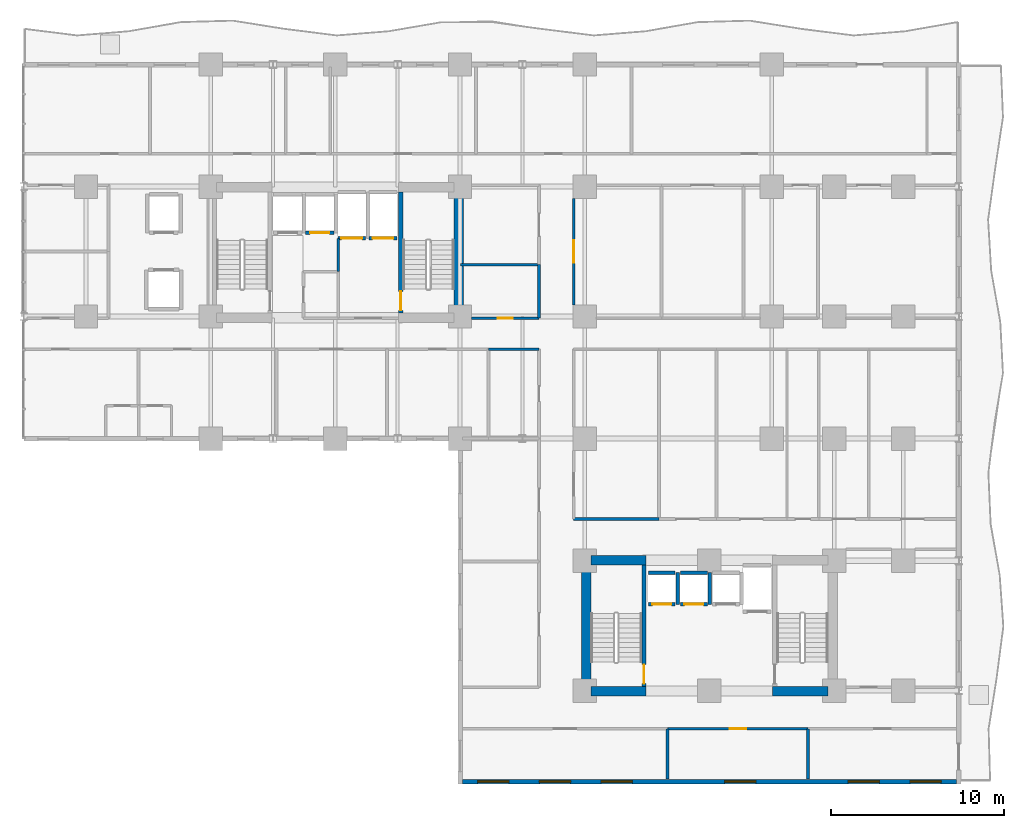
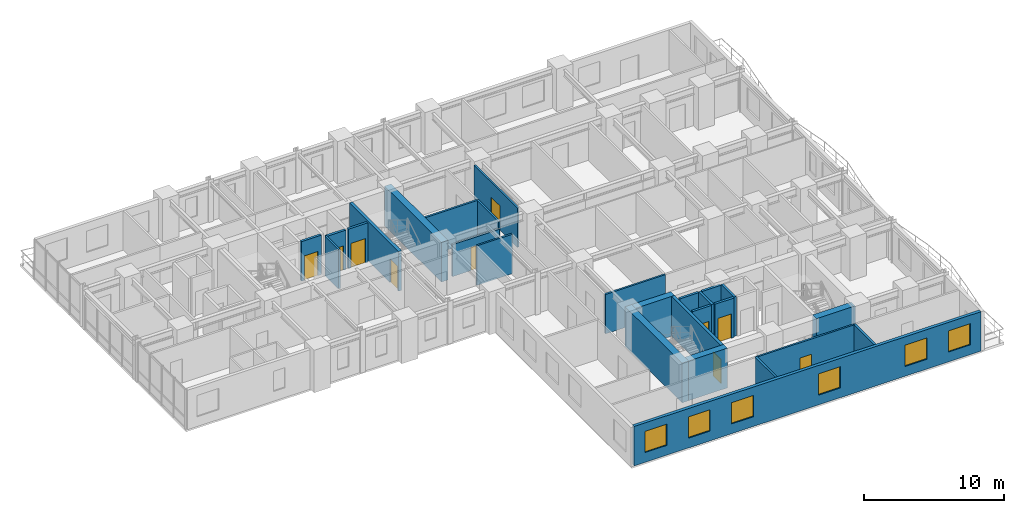
# One storey, part 12 of 19: 27 walls, 10 doors, 6 windows, 16 openings.
"""IFC4 building model written with IfcOpenShell, lengths in metres."""

from ifc_helpers import new_model, si_unit, direction, frame, frame_2d, origin, place, context, subcontext, project, spatial, rectangle, extrude, material, layer, layer_set, type_object, element, fill, save


model = new_model("IFC4")

# Units and contexts
model_context = context("Model", 3, precision=1e-05, world=origin(), true_north=direction((0.0, 1.0)))
body_context = subcontext(model_context, "Body", "Model", "MODEL_VIEW")
ifc_project = project(units=[si_unit("LENGTHUNIT", "METRE"), si_unit("AREAUNIT", "SQUARE_METRE"), si_unit("VOLUMEUNIT", "CUBIC_METRE"), si_unit("PLANEANGLEUNIT", "RADIAN"), si_unit("MASSUNIT", "GRAM", prefix="KILO")], contexts=[model_context])

# Site, building, storey
site_placement = place(None, origin())
site = spatial("IfcSite", under=ifc_project, at=site_placement, CompositionType="ELEMENT")
building_placement = place(site_placement, origin())
building = spatial("IfcBuilding", under=site, at=building_placement, Name="Kaliganga Portal Commons", CompositionType="ELEMENT")
storey_placement = place(building_placement, frame((0.0, 0.0, 32.699951171875)))
storey = spatial("IfcBuildingStorey", under=building, at=storey_placement, Name="L07", CompositionType="ELEMENT", Elevation=32.699951171875)

# Walls
ifc_material_1 = material(Name="Concrete C60/75", Category="concrete")
ifc_layer_1 = layer(ifc_material_1, 0.550048828125)
ifc_layer_set_1 = layer_set([ifc_layer_1], Name="Concrete C60/75")
wall_type_1 = type_object("IfcWallType", Name="WL-CORE-550", PredefinedType="SHEAR", material=ifc_layer_set_1)
wall_1_placement = place(storey_placement, frame((28.72509765625, 28.300048828125, 0.0), z_axis=(0.0, 0.0, 1.0), x_axis=(0.0, 1.0, 0.0)))
element("IfcWall", 1, at=wall_1_placement, inside=storey, type_object=wall_type_1, Name="Core A East Shear Wall L07", PredefinedType="SHEAR", context=body_context, shape_type="SweptSolid", body=[
    extrude(rectangle(XDim=8.099853515625, YDim=0.550048828125, at=frame_2d((4.0498046875, 0.0))), origin(), (0.0, 0.0, 1.0), 3.449951171875),
])
wall_2_placement = place(storey_placement, frame((36.074951171875, 6.75, 0.0), z_axis=(0.0, 0.0, 1.0), x_axis=(0.0, 1.0, 0.0)))
element("IfcWall", 2, at=wall_2_placement, inside=storey, type_object=wall_type_1, Name="Core B West Shear Wall L07", PredefinedType="SHEAR", context=body_context, shape_type="SweptSolid", body=[
    extrude(rectangle(XDim=8.10009765625, YDim=0.550048828125, at=frame_2d((4.050048828125, 0.0))), origin(), (0.0, 0.0, 1.0), 3.449951171875),
])
for number, where, z_axis, x_axis, name in (
    (3, (36.35009765625, 7.02490234375, 0.0), (0.0, 0.0, 1.0), (1.0, 0.0, 0.0), "Core B S-West Shear Wall L07"),
    (4, (46.85009765625, 7.02490234375, 0.0), (0.0, 0.0, 1.0), (1.0, 0.0, 0.0), "Core B S-East Shear Wall L07"),
    (5, (36.35009765625, 14.574951171875, 0.0), (0.0, 0.0, 1.0), (1.0, 0.0, 0.0), "Core B N-West Shear Wall L07"),
):
    element("IfcWall", number, at=place(storey_placement, frame(where, z_axis=z_axis, x_axis=x_axis)), inside=storey, type_object=wall_type_1, Name=name, PredefinedType="SHEAR", context=body_context, shape_type="SweptSolid", body=[
        extrude(rectangle(XDim=3.199951171875, YDim=0.550048828125, at=frame_2d((1.60009765625, 0.0))), origin(), (0.0, 0.0, 1.0), 3.449951171875),
    ])

# Wall, openings, windows
ifc_material_2 = material(Name="Insulated Aluminium-Clad Spandrel Assembly", Category="aluminium")
ifc_layer_2 = layer(ifc_material_2, 0.260009765625)
ifc_layer_set_2 = layer_set([ifc_layer_2], Name="Insulated Aluminium-Clad Spandrel Assembly")
wall_type_2 = type_object("IfcWallType", Name="WL-EXT-SPAND-260", PredefinedType="STANDARD", material=ifc_layer_set_2)
wall_3_placement = place(storey_placement, frame((57.465087890625, 1.800048828125, 0.0), z_axis=(0.0, 0.0, 1.0), x_axis=(-1.0, 0.0, 0.0)))
wall_3 = element("IfcWall", 6, at=wall_3_placement, inside=storey, type_object=wall_type_2, Name="Exterior Envelope Wall L07 P1-E00-S1", PredefinedType="STANDARD", context=body_context, shape_type="SweptSolid", body=[
    extrude(rectangle(XDim=28.530029296875, YDim=0.260009765625, at=frame_2d((14.26513671875, 0.0))), origin(), (0.0, 0.0, 1.0), 3.429931640625),
])
opening_1_placement = place(wall_3_placement, frame((0.883056640625, 0.0, 0.85009765625)))
opening_1 = element("IfcOpeningElement", 7, at=opening_1_placement, cuts=wall_3, Name="Opening W-01", PredefinedType="OPENING", context=body_context, shape_type="SweptSolid", body=[
    extrude(rectangle(XDim=1.800048828125, YDim=1.85009765625, at=frame_2d((0.89990234375, 0.925048828125))), frame((0.0, 0.14013671875, 0.0), z_axis=(0.0, -1.0, 0.0), x_axis=(1.0, 0.0, 0.0)), (0.0, 0.0, 1.0), 0.280029296875),
])
opening_2_placement = place(wall_3_placement, frame((4.449462890625, 0.0, 0.85009765625)))
opening_2 = element("IfcOpeningElement", 8, at=opening_2_placement, cuts=wall_3, Name="Opening W-01", PredefinedType="OPENING", context=body_context, shape_type="SweptSolid", body=[
    extrude(rectangle(XDim=1.800048828125, YDim=1.85009765625, at=frame_2d((0.89990234375, 0.925048828125))), frame((0.0, 0.14013671875, 0.0), z_axis=(0.0, -1.0, 0.0), x_axis=(1.0, 0.0, 0.0)), (0.0, 0.0, 1.0), 0.280029296875),
])
opening_3_placement = place(wall_3_placement, frame((11.581787109375, 0.0, 0.85009765625)))
opening_3 = element("IfcOpeningElement", 9, at=opening_3_placement, cuts=wall_3, Name="Opening W-01", PredefinedType="OPENING", context=body_context, shape_type="SweptSolid", body=[
    extrude(rectangle(XDim=1.800048828125, YDim=1.85009765625, at=frame_2d((0.89990234375, 0.925048828125))), frame((0.0, 0.14013671875, 0.0), z_axis=(0.0, -1.0, 0.0), x_axis=(1.0, 0.0, 0.0)), (0.0, 0.0, 1.0), 0.280029296875),
])
opening_4_placement = place(wall_3_placement, frame((18.71435546875, 0.0, 0.85009765625)))
opening_4 = element("IfcOpeningElement", 10, at=opening_4_placement, cuts=wall_3, Name="Opening W-01", PredefinedType="OPENING", context=body_context, shape_type="SweptSolid", body=[
    extrude(rectangle(XDim=1.800048828125, YDim=1.85009765625, at=frame_2d((0.89990234375, 0.925048828125))), frame((0.0, 0.14013671875, 0.0), z_axis=(0.0, -1.0, 0.0), x_axis=(1.0, 0.0, 0.0)), (0.0, 0.0, 1.0), 0.280029296875),
])
opening_5_placement = place(wall_3_placement, frame((22.280517578125, 0.0, 0.85009765625)))
opening_5 = element("IfcOpeningElement", 11, at=opening_5_placement, cuts=wall_3, Name="Opening W-01", PredefinedType="OPENING", context=body_context, shape_type="SweptSolid", body=[
    extrude(rectangle(XDim=1.800048828125, YDim=1.85009765625, at=frame_2d((0.89990234375, 0.925048828125))), frame((0.0, 0.14013671875, 0.0), z_axis=(0.0, -1.0, 0.0), x_axis=(1.0, 0.0, 0.0)), (0.0, 0.0, 1.0), 0.280029296875),
])
opening_6_placement = place(wall_3_placement, frame((25.846923828125, 0.0, 0.85009765625)))
opening_6 = element("IfcOpeningElement", 12, at=opening_6_placement, cuts=wall_3, Name="Opening W-01", PredefinedType="OPENING", context=body_context, shape_type="SweptSolid", body=[
    extrude(rectangle(XDim=1.800048828125, YDim=1.85009765625, at=frame_2d((0.89990234375, 0.925048828125))), frame((0.0, 0.14013671875, 0.0), z_axis=(0.0, -1.0, 0.0), x_axis=(1.0, 0.0, 0.0)), (0.0, 0.0, 1.0), 0.280029296875),
])
ifc_material_3 = material(Name="Thermally Broken Aluminium and Low-E Double Glazing", Category="aluminium")
window_type = type_object("IfcWindowType", Name="WIN-STD-1800", PartitioningType="DOUBLE_PANEL_VERTICAL", PredefinedType="WINDOW", material=ifc_material_3)
window_1_placement = place(opening_1_placement, origin())
window_1 = element("IfcWindow", 13, at=window_1_placement, inside=storey, type_object=window_type, Name="Facade Window L07-P1E00S1-00", OverallHeight=1.85009765625, OverallWidth=1.800048828125, PartitioningType="SINGLE_PANEL", PredefinedType="WINDOW", context=body_context, shape_type="SweptSolid", body=[
    extrude(rectangle(XDim=1.800048828125, YDim=1.85009765625, at=frame_2d((0.89990234375, 0.925048828125))), frame((0.0, 0.030029296875, 0.0), z_axis=(0.0, -1.0, 0.0), x_axis=(1.0, 0.0, 0.0)), (0.0, 0.0, 1.0), 0.06005859375),
])
fill(opening_1, window_1)
window_2_placement = place(opening_2_placement, origin())
window_2 = element("IfcWindow", 14, at=window_2_placement, inside=storey, type_object=window_type, Name="Facade Window L07-P1E00S1-01", OverallHeight=1.85009765625, OverallWidth=1.800048828125, PartitioningType="SINGLE_PANEL", PredefinedType="WINDOW", context=body_context, shape_type="SweptSolid", body=[
    extrude(rectangle(XDim=1.800048828125, YDim=1.85009765625, at=frame_2d((0.89990234375, 0.925048828125))), frame((0.0, 0.030029296875, 0.0), z_axis=(0.0, -1.0, 0.0), x_axis=(1.0, 0.0, 0.0)), (0.0, 0.0, 1.0), 0.06005859375),
])
fill(opening_2, window_2)
window_3_placement = place(opening_3_placement, origin())
window_3 = element("IfcWindow", 15, at=window_3_placement, inside=storey, type_object=window_type, Name="Facade Window L07-P1E00S1-03", OverallHeight=1.85009765625, OverallWidth=1.800048828125, PartitioningType="SINGLE_PANEL", PredefinedType="WINDOW", context=body_context, shape_type="SweptSolid", body=[
    extrude(rectangle(XDim=1.800048828125, YDim=1.85009765625, at=frame_2d((0.89990234375, 0.925048828125))), frame((0.0, 0.030029296875, 0.0), z_axis=(0.0, -1.0, 0.0), x_axis=(1.0, 0.0, 0.0)), (0.0, 0.0, 1.0), 0.06005859375),
])
fill(opening_3, window_3)
window_4_placement = place(opening_4_placement, origin())
window_4 = element("IfcWindow", 16, at=window_4_placement, inside=storey, type_object=window_type, Name="Facade Window L07-P1E00S1-05", OverallHeight=1.85009765625, OverallWidth=1.800048828125, PartitioningType="SINGLE_PANEL", PredefinedType="WINDOW", context=body_context, shape_type="SweptSolid", body=[
    extrude(rectangle(XDim=1.800048828125, YDim=1.85009765625, at=frame_2d((0.89990234375, 0.925048828125))), frame((0.0, 0.030029296875, 0.0), z_axis=(0.0, -1.0, 0.0), x_axis=(1.0, 0.0, 0.0)), (0.0, 0.0, 1.0), 0.06005859375),
])
fill(opening_4, window_4)
window_5_placement = place(opening_5_placement, origin())
window_5 = element("IfcWindow", 17, at=window_5_placement, inside=storey, type_object=window_type, Name="Facade Window L07-P1E00S1-06", OverallHeight=1.85009765625, OverallWidth=1.800048828125, PartitioningType="SINGLE_PANEL", PredefinedType="WINDOW", context=body_context, shape_type="SweptSolid", body=[
    extrude(rectangle(XDim=1.800048828125, YDim=1.85009765625, at=frame_2d((0.89990234375, 0.925048828125))), frame((0.0, 0.030029296875, 0.0), z_axis=(0.0, -1.0, 0.0), x_axis=(1.0, 0.0, 0.0)), (0.0, 0.0, 1.0), 0.06005859375),
])
fill(opening_5, window_5)
window_6_placement = place(opening_6_placement, origin())
window_6 = element("IfcWindow", 18, at=window_6_placement, inside=storey, type_object=window_type, Name="Facade Window L07-P1E00S1-07", OverallHeight=1.85009765625, OverallWidth=1.800048828125, PartitioningType="SINGLE_PANEL", PredefinedType="WINDOW", context=body_context, shape_type="SweptSolid", body=[
    extrude(rectangle(XDim=1.800048828125, YDim=1.85009765625, at=frame_2d((0.89990234375, 0.925048828125))), frame((0.0, 0.030029296875, 0.0), z_axis=(0.0, -1.0, 0.0), x_axis=(1.0, 0.0, 0.0)), (0.0, 0.0, 1.0), 0.06005859375),
])
fill(opening_6, window_6)

# Wall, opening, door
ifc_material_4 = material(Name="Fire-Rated Gypsum Board on Steel Stud", Category="steel")
ifc_layer_3 = layer(ifc_material_4, 0.14990234375)
ifc_layer_set_3 = layer_set([ifc_layer_3], Name="Fire-Rated Gypsum Board on Steel Stud")
wall_type_3 = type_object("IfcWallType", Name="WL-PART-CORR-150", PredefinedType="PARTITIONING", material=ifc_layer_set_3)
wall_4_placement = place(storey_placement, frame((40.780029296875, 4.840087890625, 0.0), z_axis=(0.0, 0.0, 1.0), x_axis=(1.0, 0.0, 0.0)))
wall_4 = element("IfcWall", 19, at=wall_4_placement, inside=storey, type_object=wall_type_3, Name="Interior Partition L07-015", PredefinedType="PARTITIONING", context=body_context, shape_type="SweptSolid", body=[
    extrude(rectangle(XDim=8.119873046875, YDim=0.14990234375, at=frame_2d((4.06005859375, 0.0))), origin(), (0.0, 0.0, 1.0), 3.429931640625),
])
opening_7_placement = place(wall_4_placement, frame((3.5849609375, 0.0, 0.0)))
opening_7 = element("IfcOpeningElement", 20, at=opening_7_placement, cuts=wall_4, Name="Opening UD-01", PredefinedType="OPENING", context=body_context, shape_type="SweptSolid", body=[
    extrude(rectangle(XDim=0.949951171875, YDim=2.10009765625, at=frame_2d((0.47509765625, 1.050048828125))), frame((0.0, 0.0849609375, 0.0), z_axis=(0.0, -1.0, 0.0), x_axis=(1.0, 0.0, 0.0)), (0.0, 0.0, 1.0), 0.169921875),
])
ifc_material_5 = material(Name="Solid-Core Timber Acoustic Fire Door", Category="wood")
door_type_1 = type_object("IfcDoorType", Name="DR-UNIT-950", OperationType="NOTDEFINED", PredefinedType="DOOR", material=ifc_material_5)
door_1_placement = place(opening_7_placement, origin())
door_1 = element("IfcDoor", 21, at=door_1_placement, inside=storey, type_object=door_type_1, Name="Interior Door L07-BS02", OperationType="SINGLE_SWING_RIGHT", OverallHeight=2.10009765625, OverallWidth=0.949951171875, PredefinedType="DOOR", context=body_context, shape_type="SweptSolid", body=[
    extrude(rectangle(XDim=0.949951171875, YDim=2.10009765625, at=frame_2d((0.47509765625, 1.050048828125))), frame((0.0, 0.02490234375, 0.0), z_axis=(0.0, -1.0, 0.0), x_axis=(1.0, 0.0, 0.0)), (0.0, 0.0, 1.0), 0.050048828125),
])
fill(opening_7, door_1)

wall_5_placement = place(storey_placement, frame((35.360107421875, 29.324951171875, 0.0), z_axis=(0.0, 0.0, 1.0), x_axis=(0.0, 1.0, 0.0)))
wall_5 = element("IfcWall", 22, at=wall_5_placement, inside=storey, type_object=wall_type_3, Name="Interior Partition L07-018", PredefinedType="PARTITIONING", context=body_context, shape_type="SweptSolid", body=[
    extrude(rectangle(XDim=6.150146484375, YDim=0.14990234375, at=frame_2d((3.0751953125, 0.0))), origin(), (0.0, 0.0, 1.0), 3.429931640625),
])
opening_8_placement = place(wall_5_placement, frame((2.425048828125, 0.0, 0.0)))
opening_8 = element("IfcOpeningElement", 23, at=opening_8_placement, cuts=wall_5, Name="Opening RD-03", PredefinedType="OPENING", context=body_context, shape_type="SweptSolid", body=[
    extrude(rectangle(XDim=1.300048828125, YDim=2.1201171875, at=frame_2d((0.64990234375, 1.06005859375))), frame((0.0, 0.0849609375, 0.0), z_axis=(0.0, -1.0, 0.0), x_axis=(1.0, 0.0, 0.0)), (0.0, 0.0, 1.0), 0.169921875),
])
ifc_material_6 = material(Name="Glazed Timber Seminar Vision Door", Category="wood")
door_type_2 = type_object("IfcDoorType", Name="DR-STUDY-1300", OperationType="DOUBLE_DOOR_SINGLE_SWING", PredefinedType="DOOR", material=ifc_material_6)
door_2_placement = place(opening_8_placement, origin())
door_2 = element("IfcDoor", 24, at=door_2_placement, inside=storey, type_object=door_type_2, Name="Interior Door L07-BK01", OperationType="DOUBLE_DOOR_SINGLE_SWING", OverallHeight=2.1201171875, OverallWidth=1.300048828125, PredefinedType="DOOR", context=body_context, shape_type="SweptSolid", body=[
    extrude(rectangle(XDim=1.300048828125, YDim=2.1201171875, at=frame_2d((0.64990234375, 1.06005859375))), frame((0.0, 0.02490234375, 0.0), z_axis=(0.0, -1.0, 0.0), x_axis=(1.0, 0.0, 0.0)), (0.0, 0.0, 1.0), 0.050048828125),
])
fill(opening_8, door_2)

# Wall
wall_6_placement = place(storey_placement, frame((35.360107421875, 16.9599609375, 0.0), z_axis=(0.0, 0.0, 1.0), x_axis=(1.0, 0.0, 0.0)))
element("IfcWall", 25, at=wall_6_placement, inside=storey, type_object=wall_type_3, Name="Interior Partition L07-032", PredefinedType="PARTITIONING", context=body_context, shape_type="SweptSolid", body=[
    extrude(rectangle(XDim=4.919921875, YDim=0.14990234375, at=frame_2d((2.4599609375, 0.0))), origin(), (0.0, 0.0, 1.0), 3.429931640625),
])

# Wall, opening, door
wall_7_placement = place(storey_placement, frame((29.47509765625, 28.56005859375, 0.0), z_axis=(0.0, 0.0, 1.0), x_axis=(1.0, 0.0, 0.0)))
wall_7 = element("IfcWall", 26, at=wall_7_placement, inside=storey, type_object=wall_type_3, Name="Interior Partition L07-040", PredefinedType="PARTITIONING", context=body_context, shape_type="SweptSolid", body=[
    extrude(rectangle(XDim=3.885009765625, YDim=0.14990234375, at=frame_2d((1.9423828125, 0.0))), origin(), (0.0, 0.0, 1.0), 2.780029296875),
])
opening_9_placement = place(wall_7_placement, frame((1.512451171875, 0.0, 0.0)))
opening_9 = element("IfcOpeningElement", 27, at=opening_9_placement, cuts=wall_7, Name="Opening WD-02", PredefinedType="OPENING", context=body_context, shape_type="SweptSolid", body=[
    extrude(rectangle(XDim=0.860107421875, YDim=2.02001953125, at=frame_2d((0.43017578125, 1.010009765625))), frame((0.0, 0.0849609375, 0.0), z_axis=(0.0, -1.0, 0.0), x_axis=(1.0, 0.0, 0.0)), (0.0, 0.0, 1.0), 0.169921875),
])
ifc_material_7 = material(Name="Fire-Rated Utility Closet Door", Category="wood")
door_type_3 = type_object("IfcDoorType", Name="DR-STORE-800", OperationType="NOTDEFINED", PredefinedType="DOOR", material=ifc_material_7)
door_3_placement = place(opening_9_placement, origin())
door_3 = element("IfcDoor", 28, at=door_3_placement, inside=storey, type_object=door_type_3, Name="Interior Door L07-CSRV_A1", OperationType="SINGLE_SWING_LEFT", OverallHeight=2.02001953125, OverallWidth=0.860107421875, PredefinedType="DOOR", context=body_context, shape_type="SweptSolid", body=[
    extrude(rectangle(XDim=0.860107421875, YDim=2.02001953125, at=frame_2d((0.43017578125, 1.010009765625))), frame((0.0, 0.02490234375, 0.0), z_axis=(0.0, -1.0, 0.0), x_axis=(1.0, 0.0, 0.0)), (0.0, 0.0, 1.0), 0.050048828125),
])
fill(opening_9, door_3)

# Walls
wall_8_placement = place(storey_placement, frame((33.360107421875, 28.56005859375, 0.0), z_axis=(0.0, 0.0, 1.0), x_axis=(0.0, 1.0, 0.0)))
element("IfcWall", 29, at=wall_8_placement, inside=storey, type_object=wall_type_3, Name="Interior Partition L07-048", PredefinedType="PARTITIONING", context=body_context, shape_type="SweptSolid", body=[
    extrude(rectangle(XDim=3.079833984375, YDim=0.14990234375, at=frame_2d((1.5400390625, 0.0))), origin(), (0.0, 0.0, 1.0), 3.429931640625),
])
wall_9_placement = place(storey_placement, frame((30.43994140625, 26.760009765625, 0.0), z_axis=(0.0, 0.0, 1.0), x_axis=(1.0, 0.0, 0.0)))
element("IfcWall", 30, at=wall_9_placement, inside=storey, type_object=wall_type_3, Name="Interior Partition L07-049", PredefinedType="PARTITIONING", context=body_context, shape_type="SweptSolid", body=[
    extrude(rectangle(XDim=2.920166015625, YDim=0.14990234375, at=frame_2d((1.4599609375, 0.0))), origin(), (0.0, 0.0, 1.0), 3.429931640625),
])
wall_10_placement = place(storey_placement, frame((21.760009765625, 31.239990234375, 0.0), z_axis=(0.0, 0.0, 1.0), x_axis=(0.0, 1.0, 0.0)))
element("IfcWall", 31, at=wall_10_placement, inside=storey, type_object=wall_type_3, Name="Interior Partition L07-094", PredefinedType="PARTITIONING", context=body_context, shape_type="SweptSolid", body=[
    extrude(rectangle(XDim=1.919921875, YDim=0.14990234375, at=frame_2d((0.9599609375, 0.0))), origin(), (0.0, 0.0, 1.0), 3.429931640625),
])
ifc_material_8 = material(Name="Twin-Stud Acoustic Gypsum Partition", Category="gypsum")
ifc_layer_4 = layer(ifc_material_8, 0.1650390625)
ifc_layer_set_4 = layer_set([ifc_layer_4], Name="Twin-Stud Acoustic Gypsum Partition")
wall_type_4 = type_object("IfcWallType", Name="WL-PART-UNIT-165", PredefinedType="PARTITIONING", material=ifc_layer_set_4)
wall_11_placement = place(storey_placement, frame((28.840087890625, 31.639892578125, 0.0), z_axis=(0.0, 0.0, 1.0), x_axis=(1.0, 0.0, 0.0)))
element("IfcWall", 32, at=wall_11_placement, inside=storey, type_object=wall_type_4, Name="Interior Partition L07-083", PredefinedType="PARTITIONING", context=body_context, shape_type="SweptSolid", body=[
    extrude(rectangle(XDim=4.52001953125, YDim=0.1650390625, at=frame_2d((2.260009765625, 0.0))), origin(), (0.0, 0.0, 1.0), 3.429931640625),
])
for number, where, z_axis, x_axis, name in (
    (33, (40.780029296875, 1.931884765625, 0.0), (0.0, 0.0, 1.0), (0.0, 1.0, 0.0), "Interior Partition L07-090"),
    (34, (48.89990234375, 1.931884765625, 0.0), (0.0, 0.0, 1.0), (0.0, 1.0, 0.0), "Interior Partition L07-091"),
):
    element("IfcWall", number, at=place(storey_placement, frame(where, z_axis=z_axis, x_axis=x_axis)), inside=storey, type_object=wall_type_4, Name=name, PredefinedType="PARTITIONING", context=body_context, shape_type="SweptSolid", body=[
        extrude(rectangle(XDim=2.908203125, YDim=0.1650390625, at=frame_2d((1.4541015625, 0.0))), origin(), (0.0, 0.0, 1.0), 3.429931640625),
    ])

# Wall, opening, door
ifc_material_9 = material(Name="Fire-Rated Shaftwall Masonry Assembly", Category="masonry")
ifc_layer_5 = layer(ifc_material_9, 0.199951171875)
ifc_layer_set_5 = layer_set([ifc_layer_5], Name="Fire-Rated Shaftwall Masonry Assembly")
wall_type_5 = type_object("IfcWallType", Name="WL-SHAFT-200", PredefinedType="PARTITIONING", material=ifc_layer_set_5)
wall_12_placement = place(storey_placement, frame((19.875, 33.485107421875, 0.0), z_axis=(0.0, 0.0, 1.0), x_axis=(1.0, 0.0, 0.0)))
wall_12 = element("IfcWall", 35, at=wall_12_placement, inside=storey, type_object=wall_type_5, Name="Lift PL-A2 Hoistway Shaft Wall L07-S", PredefinedType="PARTITIONING", context=body_context, shape_type="SweptSolid", body=[
    extrude(rectangle(XDim=1.64990234375, YDim=0.199951171875, at=frame_2d((0.824951171875, 0.0))), origin(), (0.0, 0.0, 1.0), 3.429931640625),
])
opening_10_placement = place(wall_12_placement, frame((0.27490234375, 0.0, 0.0)))
opening_10 = element("IfcOpeningElement", 36, at=opening_10_placement, cuts=wall_12, Name="Opening LD-01", PredefinedType="OPENING", context=body_context, shape_type="SweptSolid", body=[
    extrude(rectangle(XDim=1.10009765625, YDim=2.1201171875, at=frame_2d((0.550048828125, 1.06005859375))), frame((0.0, 0.10986328125, 0.0), z_axis=(0.0, -1.0, 0.0), x_axis=(1.0, 0.0, 0.0)), (0.0, 0.0, 1.0), 0.219970703125),
])
ifc_material_10 = material(Name="Brushed Stainless Steel 316 Lift Landing Door", Category="steel")
door_type_4 = type_object("IfcDoorType", Name="DR-LIFT-1100", OperationType="SLIDING_TO_LEFT", PredefinedType="DOOR", material=ifc_material_10)
door_4_placement = place(opening_10_placement, origin())
door_4 = element("IfcDoor", 37, at=door_4_placement, inside=storey, type_object=door_type_4, Name="Lift PL-A2 Sliding Landing Door L07", OperationType="SLIDING_TO_LEFT", OverallHeight=2.1201171875, OverallWidth=1.10009765625, PredefinedType="DOOR", context=body_context, shape_type="SweptSolid", body=[
    extrude(rectangle(XDim=1.10009765625, YDim=2.1201171875, at=frame_2d((0.550048828125, 1.06005859375))), frame((0.0, 0.02490234375, 0.0), z_axis=(0.0, -1.0, 0.0), x_axis=(1.0, 0.0, 0.0)), (0.0, 0.0, 1.0), 0.050048828125),
])
fill(opening_10, door_4)

wall_13_placement = place(storey_placement, frame((21.75, 33.159912109375, 0.0), z_axis=(0.0, 0.0, 1.0), x_axis=(1.0, 0.0, 0.0)))
wall_13 = element("IfcWall", 38, at=wall_13_placement, inside=storey, type_object=wall_type_5, Name="Lift FFL-1 Hoistway Shaft Wall L07-S", PredefinedType="PARTITIONING", context=body_context, shape_type="SweptSolid", body=[
    extrude(rectangle(XDim=1.60009765625, YDim=0.199951171875, at=frame_2d((0.800048828125, 0.0))), origin(), (0.0, 0.0, 1.0), 3.429931640625),
])
opening_11_placement = place(wall_13_placement, frame((0.199951171875, 0.0, 0.0)))
opening_11 = element("IfcOpeningElement", 39, at=opening_11_placement, cuts=wall_13, Name="Opening LD-02", PredefinedType="OPENING", context=body_context, shape_type="SweptSolid", body=[
    extrude(rectangle(XDim=1.199951171875, YDim=2.1201171875, at=frame_2d((0.60009765625, 1.06005859375))), frame((0.0, 0.10986328125, 0.0), z_axis=(0.0, -1.0, 0.0), x_axis=(1.0, 0.0, 0.0)), (0.0, 0.0, 1.0), 0.219970703125),
])
ifc_material_11 = material(Name="Brushed Stainless Steel 316 Stretcher Lift Landing Door", Category="steel")
door_type_5 = type_object("IfcDoorType", Name="DR-LIFT-1200", OperationType="SLIDING_TO_RIGHT", PredefinedType="DOOR", material=ifc_material_11)
door_5_placement = place(opening_11_placement, origin())
door_5 = element("IfcDoor", 40, at=door_5_placement, inside=storey, type_object=door_type_5, Name="Lift FFL-1 Sliding Landing Door L07", OperationType="SLIDING_TO_RIGHT", OverallHeight=2.1201171875, OverallWidth=1.199951171875, PredefinedType="DOOR", context=body_context, shape_type="SweptSolid", body=[
    extrude(rectangle(XDim=1.199951171875, YDim=2.1201171875, at=frame_2d((0.60009765625, 1.06005859375))), frame((0.0, 0.02490234375, 0.0), z_axis=(0.0, -1.0, 0.0), x_axis=(1.0, 0.0, 0.0)), (0.0, 0.0, 1.0), 0.050048828125),
])
fill(opening_11, door_5)

wall_14_placement = place(storey_placement, frame((23.550048828125, 33.159912109375, 0.0), z_axis=(0.0, 0.0, 1.0), x_axis=(1.0, 0.0, 0.0)))
wall_14 = element("IfcWall", 41, at=wall_14_placement, inside=storey, type_object=wall_type_5, Name="Lift FFL-2 Hoistway Shaft Wall L07-S", PredefinedType="PARTITIONING", context=body_context, shape_type="SweptSolid", body=[
    extrude(rectangle(XDim=1.599853515625, YDim=0.199951171875, at=frame_2d((0.7998046875, 0.0))), origin(), (0.0, 0.0, 1.0), 3.429931640625),
])
opening_12_placement = place(wall_14_placement, frame((0.199951171875, 0.0, 0.0)))
opening_12 = element("IfcOpeningElement", 42, at=opening_12_placement, cuts=wall_14, Name="Opening LD-02", PredefinedType="OPENING", context=body_context, shape_type="SweptSolid", body=[
    extrude(rectangle(XDim=1.199951171875, YDim=2.1201171875, at=frame_2d((0.60009765625, 1.06005859375))), frame((0.0, 0.10986328125, 0.0), z_axis=(0.0, -1.0, 0.0), x_axis=(1.0, 0.0, 0.0)), (0.0, 0.0, 1.0), 0.219970703125),
])
door_6_placement = place(opening_12_placement, origin())
door_6 = element("IfcDoor", 43, at=door_6_placement, inside=storey, type_object=door_type_5, Name="Lift FFL-2 Sliding Landing Door L07", OperationType="SLIDING_TO_RIGHT", OverallHeight=2.1201171875, OverallWidth=1.199951171875, PredefinedType="DOOR", context=body_context, shape_type="SweptSolid", body=[
    extrude(rectangle(XDim=1.199951171875, YDim=2.1201171875, at=frame_2d((0.60009765625, 1.06005859375))), frame((0.0, 0.02490234375, 0.0), z_axis=(0.0, -1.0, 0.0), x_axis=(1.0, 0.0, 0.0)), (0.0, 0.0, 1.0), 0.050048828125),
])
fill(opening_12, door_6)

wall_15_placement = place(storey_placement, frame((39.675048828125, 12.034912109375, 0.0), z_axis=(0.0, 0.0, 1.0), x_axis=(1.0, 0.0, 0.0)))
wall_15 = element("IfcWall", 44, at=wall_15_placement, inside=storey, type_object=wall_type_5, Name="Lift PL-B1 Hoistway Shaft Wall L07-S", PredefinedType="PARTITIONING", context=body_context, shape_type="SweptSolid", body=[
    extrude(rectangle(XDim=1.550048828125, YDim=0.199951171875, at=frame_2d((0.77490234375, 0.0))), origin(), (0.0, 0.0, 1.0), 3.429931640625),
])
opening_13_placement = place(wall_15_placement, frame((0.22509765625, 0.0, 0.0)))
opening_13 = element("IfcOpeningElement", 45, at=opening_13_placement, cuts=wall_15, Name="Opening LD-01", PredefinedType="OPENING", context=body_context, shape_type="SweptSolid", body=[
    extrude(rectangle(XDim=1.10009765625, YDim=2.1201171875, at=frame_2d((0.550048828125, 1.06005859375))), frame((0.0, 0.10986328125, 0.0), z_axis=(0.0, -1.0, 0.0), x_axis=(1.0, 0.0, 0.0)), (0.0, 0.0, 1.0), 0.219970703125),
])
door_7_placement = place(opening_13_placement, origin())
door_7 = element("IfcDoor", 46, at=door_7_placement, inside=storey, type_object=door_type_4, Name="Lift PL-B1 Sliding Landing Door L07", OperationType="SLIDING_TO_LEFT", OverallHeight=2.1201171875, OverallWidth=1.10009765625, PredefinedType="DOOR", context=body_context, shape_type="SweptSolid", body=[
    extrude(rectangle(XDim=1.10009765625, YDim=2.1201171875, at=frame_2d((0.550048828125, 1.06005859375))), frame((0.0, 0.02490234375, 0.0), z_axis=(0.0, -1.0, 0.0), x_axis=(1.0, 0.0, 0.0)), (0.0, 0.0, 1.0), 0.050048828125),
])
fill(opening_13, door_7)

# Walls
wall_16_placement = place(storey_placement, frame((39.675048828125, 13.864990234375, 0.0), z_axis=(0.0, 0.0, 1.0), x_axis=(1.0, 0.0, 0.0)))
element("IfcWall", 47, at=wall_16_placement, inside=storey, type_object=wall_type_5, Name="Lift PL-B1 Hoistway Shaft Wall L07-N", PredefinedType="PARTITIONING", context=body_context, shape_type="SweptSolid", body=[
    extrude(rectangle(XDim=1.550048828125, YDim=0.199951171875, at=frame_2d((0.77490234375, 0.0))), origin(), (0.0, 0.0, 1.0), 3.429931640625),
])
wall_17_placement = place(storey_placement, frame((41.364990234375, 12.034912109375, 0.0), z_axis=(0.0, 0.0, 1.0), x_axis=(0.0, 1.0, 0.0)))
element("IfcWall", 48, at=wall_17_placement, inside=storey, type_object=wall_type_5, Name="Lift PL-B1 Hoistway Shaft Wall L07-E", PredefinedType="PARTITIONING", context=body_context, shape_type="SweptSolid", body=[
    extrude(rectangle(XDim=1.830078125, YDim=0.199951171875, at=frame_2d((0.9150390625, 0.0))), origin(), (0.0, 0.0, 1.0), 3.429931640625),
])

# Wall, opening, door
wall_18_placement = place(storey_placement, frame((41.52490234375, 12.034912109375, 0.0), z_axis=(0.0, 0.0, 1.0), x_axis=(1.0, 0.0, 0.0)))
wall_18 = element("IfcWall", 49, at=wall_18_placement, inside=storey, type_object=wall_type_5, Name="Lift PL-B2 Hoistway Shaft Wall L07-S", PredefinedType="PARTITIONING", context=body_context, shape_type="SweptSolid", body=[
    extrude(rectangle(XDim=1.550048828125, YDim=0.199951171875, at=frame_2d((0.77490234375, 0.0))), origin(), (0.0, 0.0, 1.0), 3.429931640625),
])
opening_14_placement = place(wall_18_placement, frame((0.22509765625, 0.0, 0.0)))
opening_14 = element("IfcOpeningElement", 50, at=opening_14_placement, cuts=wall_18, Name="Opening LD-01", PredefinedType="OPENING", context=body_context, shape_type="SweptSolid", body=[
    extrude(rectangle(XDim=1.10009765625, YDim=2.1201171875, at=frame_2d((0.550048828125, 1.06005859375))), frame((0.0, 0.10986328125, 0.0), z_axis=(0.0, -1.0, 0.0), x_axis=(1.0, 0.0, 0.0)), (0.0, 0.0, 1.0), 0.219970703125),
])
door_8_placement = place(opening_14_placement, origin())
door_8 = element("IfcDoor", 51, at=door_8_placement, inside=storey, type_object=door_type_4, Name="Lift PL-B2 Sliding Landing Door L07", OperationType="SLIDING_TO_LEFT", OverallHeight=2.1201171875, OverallWidth=1.10009765625, PredefinedType="DOOR", context=body_context, shape_type="SweptSolid", body=[
    extrude(rectangle(XDim=1.10009765625, YDim=2.1201171875, at=frame_2d((0.550048828125, 1.06005859375))), frame((0.0, 0.02490234375, 0.0), z_axis=(0.0, -1.0, 0.0), x_axis=(1.0, 0.0, 0.0)), (0.0, 0.0, 1.0), 0.050048828125),
])
fill(opening_14, door_8)

# Walls
wall_19_placement = place(storey_placement, frame((41.52490234375, 13.864990234375, 0.0), z_axis=(0.0, 0.0, 1.0), x_axis=(1.0, 0.0, 0.0)))
element("IfcWall", 52, at=wall_19_placement, inside=storey, type_object=wall_type_5, Name="Lift PL-B2 Hoistway Shaft Wall L07-N", PredefinedType="PARTITIONING", context=body_context, shape_type="SweptSolid", body=[
    extrude(rectangle(XDim=1.550048828125, YDim=0.199951171875, at=frame_2d((0.77490234375, 0.0))), origin(), (0.0, 0.0, 1.0), 3.429931640625),
])
wall_20_placement = place(storey_placement, frame((43.215087890625, 12.034912109375, 0.0), z_axis=(0.0, 0.0, 1.0), x_axis=(0.0, 1.0, 0.0)))
element("IfcWall", 53, at=wall_20_placement, inside=storey, type_object=wall_type_5, Name="Lift PL-B2 Hoistway Shaft Wall L07-E", PredefinedType="PARTITIONING", context=body_context, shape_type="SweptSolid", body=[
    extrude(rectangle(XDim=1.830078125, YDim=0.199951171875, at=frame_2d((0.9150390625, 0.0))), origin(), (0.0, 0.0, 1.0), 3.429931640625),
])

# Wall, opening, door
ifc_material_12 = material(Name="Concrete C50/60", Category="concrete")
ifc_layer_6 = layer(ifc_material_12, 0.25)
ifc_layer_set_6 = layer_set([ifc_layer_6], Name="Concrete C50/60")
wall_type_6 = type_object("IfcWallType", Name="WL-STAIR-250", PredefinedType="SHEAR", material=ifc_layer_set_6)
wall_21_placement = place(storey_placement, frame((25.375, 28.85009765625, 0.0), z_axis=(0.0, 0.0, 1.0), x_axis=(0.0, 1.0, 0.0)))
wall_21 = element("IfcWall", 54, at=wall_21_placement, inside=storey, type_object=wall_type_6, Name="Stair A2 Enclosure Shear Wall L07", PredefinedType="SHEAR", context=body_context, shape_type="SweptSolid", body=[
    extrude(rectangle(XDim=7.0, YDim=0.25, at=frame_2d((3.5, 0.0))), origin(), (0.0, 0.0, 1.0), 3.449951171875),
])
opening_15_placement = place(wall_21_placement, frame((0.14990234375, 0.0, 0.0)))
opening_15 = element("IfcOpeningElement", 55, at=opening_15_placement, cuts=wall_21, Name="Opening SD-01", PredefinedType="OPENING", context=body_context, shape_type="SweptSolid", body=[
    extrude(rectangle(XDim=1.10009765625, YDim=2.080078125, at=frame_2d((0.550048828125, 1.0400390625))), frame((0.0, 0.135009765625, 0.0), z_axis=(0.0, -1.0, 0.0), x_axis=(1.0, 0.0, 0.0)), (0.0, 0.0, 1.0), 0.27001953125),
])
ifc_material_13 = material(Name="Galvanized Steel Fire Door Leaf and Frame", Category="steel")
door_type_6 = type_object("IfcDoorType", Name="DR-STAIR-1100", OperationType="NOTDEFINED", PredefinedType="DOOR", material=ifc_material_13)
door_9_placement = place(opening_15_placement, origin())
door_9 = element("IfcDoor", 56, at=door_9_placement, inside=storey, type_object=door_type_6, Name="Protected Stair ST-A2 Fire Door L07", OperationType="SINGLE_SWING_RIGHT", OverallHeight=2.080078125, OverallWidth=1.10009765625, PredefinedType="DOOR", context=body_context, shape_type="SweptSolid", body=[
    extrude(rectangle(XDim=1.10009765625, YDim=2.080078125, at=frame_2d((0.550048828125, 1.0400390625))), frame((0.0, 0.02490234375, 0.0), z_axis=(0.0, -1.0, 0.0), x_axis=(1.0, 0.0, 0.0)), (0.0, 0.0, 1.0), 0.050048828125),
])
fill(opening_15, door_9)

wall_22_placement = place(storey_placement, frame((39.425048828125, 7.300048828125, 0.0), z_axis=(0.0, 0.0, 1.0), x_axis=(0.0, 1.0, 0.0)))
wall_22 = element("IfcWall", 57, at=wall_22_placement, inside=storey, type_object=wall_type_6, Name="Stair B1 Enclosure Shear Wall L07", PredefinedType="SHEAR", context=body_context, shape_type="SweptSolid", body=[
    extrude(rectangle(XDim=7.0, YDim=0.25, at=frame_2d((3.5, 0.0))), origin(), (0.0, 0.0, 1.0), 3.449951171875),
])
opening_16_placement = place(wall_22_placement, frame((0.14990234375, 0.0, 0.0)))
opening_16 = element("IfcOpeningElement", 58, at=opening_16_placement, cuts=wall_22, Name="Opening SD-01", PredefinedType="OPENING", context=body_context, shape_type="SweptSolid", body=[
    extrude(rectangle(XDim=1.10009765625, YDim=2.080078125, at=frame_2d((0.550048828125, 1.0400390625))), frame((0.0, 0.135009765625, 0.0), z_axis=(0.0, -1.0, 0.0), x_axis=(1.0, 0.0, 0.0)), (0.0, 0.0, 1.0), 0.27001953125),
])
door_10_placement = place(opening_16_placement, origin())
door_10 = element("IfcDoor", 59, at=door_10_placement, inside=storey, type_object=door_type_6, Name="Protected Stair ST-B1 Fire Door L07", OperationType="SINGLE_SWING_LEFT", OverallHeight=2.080078125, OverallWidth=1.10009765625, PredefinedType="DOOR", context=body_context, shape_type="SweptSolid", body=[
    extrude(rectangle(XDim=1.10009765625, YDim=2.080078125, at=frame_2d((0.550048828125, 1.0400390625))), frame((0.0, 0.02490234375, 0.0), z_axis=(0.0, -1.0, 0.0), x_axis=(1.0, 0.0, 0.0)), (0.0, 0.0, 1.0), 0.050048828125),
])
fill(opening_16, door_10)

save(model, "model.ifc")
